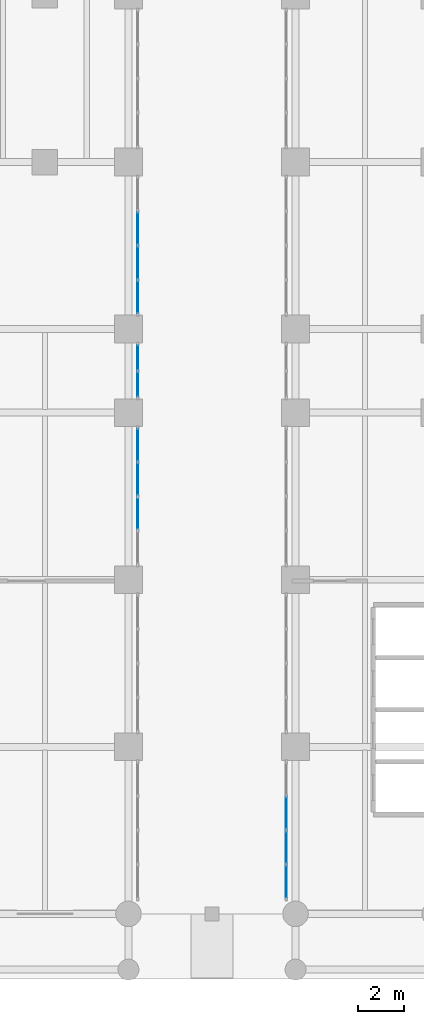
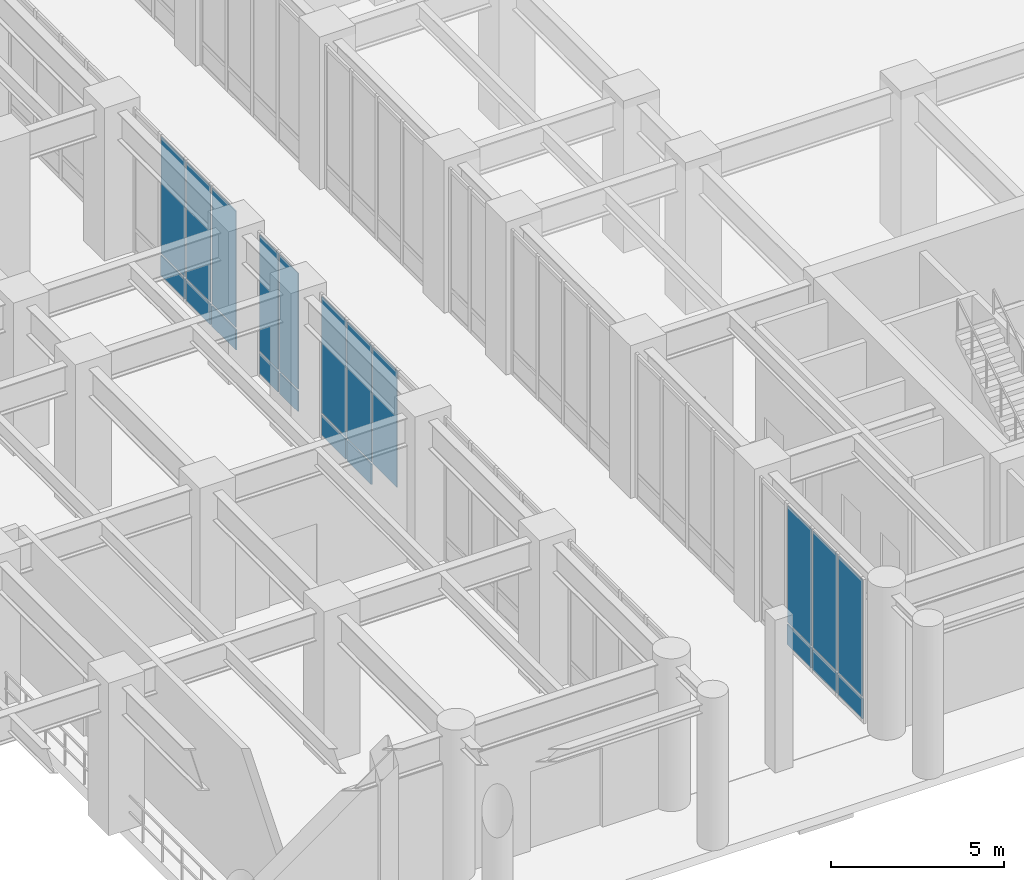
# One storey, part 10 of 23: 21 plates, 4 elements without a shape of their own.
"""IFC4 building model written with IfcOpenShell, lengths in metres."""

from ifc_helpers import new_model, si_unit, derived_unit, direction, frame, origin, origin_2d, place, context, subcontext, project, spatial, rectangle, extrude, source, transform, mapped, material, layer, layer_set, type_object, element, aggregate, save


model = new_model("IFC4")

# Units and contexts
model_context = context("Model", 3, precision=1e-05, world=origin(), true_north=direction((0.0, 1.0)))
body_context = subcontext(model_context, "Body", "Model", "MODEL_VIEW")
ifc_project = project(units=[si_unit("LENGTHUNIT", "METRE"), si_unit("AREAUNIT", "SQUARE_METRE"), si_unit("VOLUMEUNIT", "CUBIC_METRE"), si_unit("PLANEANGLEUNIT", "RADIAN"), si_unit("MASSUNIT", "GRAM", prefix="KILO"), si_unit("THERMODYNAMICTEMPERATUREUNIT", "KELVIN"), si_unit("POWERUNIT", "WATT"), derived_unit("THERMALTRANSMITTANCEUNIT", [(si_unit("POWERUNIT", "WATT"), 1), (si_unit("AREAUNIT", "SQUARE_METRE"), -1), (si_unit("THERMODYNAMICTEMPERATUREUNIT", "KELVIN"), -1)])], contexts=[model_context])

# Site, building, storey
site_placement = place(None, origin())
site = spatial("IfcSite", under=ifc_project, at=site_placement, CompositionType="ELEMENT")
building_placement = place(site_placement, origin())
building = spatial("IfcBuilding", under=site, at=building_placement, Name="Zahravan Archway Hotel and Residences", CompositionType="ELEMENT")
storey_placement = place(building_placement, origin())
storey = spatial("IfcBuildingStorey", under=building, at=storey_placement, Name="L00", CompositionType="ELEMENT", Elevation=0.0)

# Curtain wall, plates
ifc_material_1 = material(Name="Bronze-Anodized Unitised Aluminium & Low-E Glass", Category="aluminium")
ifc_layer_1 = layer(ifc_material_1, 0.179931640625, Name="Bronze-Anodized Unitised Aluminium & Low-E Glass", Category="aluminium")
ifc_layer_set_1 = layer_set([ifc_layer_1], Name="Bronze-Anodized Unitised Aluminium & Low-E Glass")
curtain_wall_type = type_object("IfcCurtainWallType", Name="CW-POD-ARCH", PredefinedType="NOTDEFINED", material=ifc_layer_set_1)
curtain_wall_1_placement = place(storey_placement, origin())
curtain_wall_1 = element("IfcCurtainWall", 1, at=curtain_wall_1_placement, inside=storey, type_object=curtain_wall_type, Name="L00 Curtain Wall CW-PORTW-L00-3", PredefinedType="NOTDEFINED")
ifc_material_2 = material(Name="Insulated Terracotta Spandrel Panel", Category="masonry")
ifc_layer_2 = layer(ifc_material_2, 0.0400390625, Name="Insulated Terracotta Spandrel Panel", Category="masonry")
ifc_layer_set_2 = layer_set([ifc_layer_2], Name="Insulated Terracotta Spandrel Panel")
plate_type_1 = type_object("IfcPlateType", Name="CWP-SPN-40", PredefinedType="SHEET", material=ifc_layer_set_2)
shared_shape_1 = source(origin(), body_context, "Body", "SweptSolid", [
    extrude(rectangle(XDim=1.3974609375, YDim=0.0400390625, at=origin_2d()), origin(), (0.0, 0.0, 1.0), 0.7099609375),
])
plate_1_placement = place(storey_placement, frame((22.0, 18.73876953125, 0.10009765625), z_axis=(0.0, 0.0, 1.0), x_axis=(0.0, 1.0, 0.0)))
plate_1 = element("IfcPlate", 2, at=plate_1_placement, type_object=plate_type_1, Name="CW-PORTW-L00-3 Spandrel Panel 2", PredefinedType="SHEET", context=body_context, shape_type="MappedRepresentation", body=[
    mapped(shared_shape_1, transform((0.0, 0.0, 0.0), scale=1.0)),
])
plate_2_placement = place(storey_placement, frame((22.0, 20.216064453125, 0.10009765625), z_axis=(0.0, 0.0, 1.0), x_axis=(0.0, 1.0, 0.0)))
plate_2 = element("IfcPlate", 3, at=plate_2_placement, type_object=plate_type_1, Name="CW-PORTW-L00-3 Spandrel Panel 3", PredefinedType="SHEET", context=body_context, shape_type="MappedRepresentation", body=[
    mapped(shared_shape_1, transform((0.0, 0.0, 0.0), scale=1.0)),
])

curtain_wall_2_placement = place(storey_placement, origin())
curtain_wall_2 = element("IfcCurtainWall", 4, at=curtain_wall_2_placement, inside=storey, type_object=curtain_wall_type, Name="L00 Curtain Wall CW-PORTW-L00-5", PredefinedType="NOTDEFINED")
plate_3_placement = place(storey_placement, frame((22.0, 26.583984375, 0.10009765625), z_axis=(0.0, 0.0, 1.0), x_axis=(0.0, 1.0, 0.0)))
plate_3 = element("IfcPlate", 5, at=plate_3_placement, type_object=plate_type_1, Name="CW-PORTW-L00-5 Spandrel Panel 0", PredefinedType="SHEET", context=body_context, shape_type="MappedRepresentation", body=[
    mapped(shared_shape_1, transform((0.0, 0.0, 0.0), scale=1.0)),
])
plate_4_placement = place(storey_placement, frame((22.0, 28.061279296875, 0.10009765625), z_axis=(0.0, 0.0, 1.0), x_axis=(0.0, 1.0, 0.0)))
plate_4 = element("IfcPlate", 6, at=plate_4_placement, type_object=plate_type_1, Name="CW-PORTW-L00-5 Spandrel Panel 1", PredefinedType="SHEET", context=body_context, shape_type="MappedRepresentation", body=[
    mapped(shared_shape_1, transform((0.0, 0.0, 0.0), scale=1.0)),
])
plate_5_placement = place(storey_placement, frame((22.0, 29.538818359375, 0.10009765625), z_axis=(0.0, 0.0, 1.0), x_axis=(0.0, 1.0, 0.0)))
plate_5 = element("IfcPlate", 7, at=plate_5_placement, type_object=plate_type_1, Name="CW-PORTW-L00-5 Spandrel Panel 2", PredefinedType="SHEET", context=body_context, shape_type="MappedRepresentation", body=[
    mapped(shared_shape_1, transform((0.0, 0.0, 0.0), scale=1.0)),
])

curtain_wall_3_placement = place(storey_placement, origin())
curtain_wall_3 = element("IfcCurtainWall", 8, at=curtain_wall_3_placement, inside=storey, type_object=curtain_wall_type, Name="L00 Curtain Wall CW-PORTE-L00-1", PredefinedType="NOTDEFINED")
plate_6_placement = place(storey_placement, frame((28.39990234375, 1.3837890625, 0.10009765625), z_axis=(0.0, 0.0, 1.0), x_axis=(0.0, 1.0, 0.0)))
plate_6 = element("IfcPlate", 9, at=plate_6_placement, type_object=plate_type_1, Name="CW-PORTE-L00-1 Spandrel Panel 0", PredefinedType="SHEET", context=body_context, shape_type="MappedRepresentation", body=[
    mapped(shared_shape_1, transform((0.0, 0.0, 0.0), scale=1.0)),
])
plate_7_placement = place(storey_placement, frame((28.39990234375, 2.861328125, 0.10009765625), z_axis=(0.0, 0.0, 1.0), x_axis=(0.0, 1.0, 0.0)))
plate_7 = element("IfcPlate", 10, at=plate_7_placement, type_object=plate_type_1, Name="CW-PORTE-L00-1 Spandrel Panel 1", PredefinedType="SHEET", context=body_context, shape_type="MappedRepresentation", body=[
    mapped(shared_shape_1, transform((0.0, 0.0, 0.0), scale=1.0)),
])
plate_8_placement = place(storey_placement, frame((28.39990234375, 4.338623046875, 0.10009765625), z_axis=(0.0, 0.0, 1.0), x_axis=(0.0, 1.0, 0.0)))
plate_8 = element("IfcPlate", 11, at=plate_8_placement, type_object=plate_type_1, Name="CW-PORTE-L00-1 Spandrel Panel 2", PredefinedType="SHEET", context=body_context, shape_type="MappedRepresentation", body=[
    mapped(shared_shape_1, transform((0.0, 0.0, 0.0), scale=1.0)),
])

# Plate
ifc_material_3 = material(Name="Double-Silver Low-E Insulated Vision Glass", Category="glass")
ifc_layer_3 = layer(ifc_material_3, 0.028076171875, Name="Double-Silver Low-E Insulated Vision Glass", Category="glass")
ifc_layer_set_3 = layer_set([ifc_layer_3], Name="Double-Silver Low-E Insulated Vision Glass")
plate_type_2 = type_object("IfcPlateType", Name="CWP-GLZ-28", PredefinedType="CURTAIN_PANEL", material=ifc_layer_set_3)
shared_shape_2 = source(origin(), body_context, "Body", "SweptSolid", [
    extrude(rectangle(XDim=1.3974609375, YDim=0.028076171875, at=origin_2d()), origin(), (0.0, 0.0, 1.0), 4.110107421875),
])
plate_9_placement = place(storey_placement, frame((22.0, 17.26123046875, 0.89013671875), z_axis=(0.0, 0.0, 1.0), x_axis=(0.0, 1.0, 0.0)))
plate_9 = element("IfcPlate", 12, at=plate_9_placement, type_object=plate_type_2, Name="CW-PORTW-L00-3 Low-E Vision Panel 1", PredefinedType="CURTAIN_PANEL", context=body_context, shape_type="MappedRepresentation", body=[
    mapped(shared_shape_2, transform((0.0, 0.0, 0.0), scale=1.0)),
])

plate_10_placement = place(storey_placement, frame((22.0, 18.73876953125, 0.89013671875), z_axis=(0.0, 0.0, 1.0), x_axis=(0.0, 1.0, 0.0)))
plate_10 = element("IfcPlate", 13, at=plate_10_placement, type_object=plate_type_2, Name="CW-PORTW-L00-3 Low-E Vision Panel 2", PredefinedType="CURTAIN_PANEL", context=body_context, shape_type="MappedRepresentation", body=[
    mapped(shared_shape_2, transform((0.0, 0.0, 0.0), scale=1.0)),
])

plate_11_placement = place(storey_placement, frame((22.0, 20.216064453125, 0.89013671875), z_axis=(0.0, 0.0, 1.0), x_axis=(0.0, 1.0, 0.0)))
plate_11 = element("IfcPlate", 14, at=plate_11_placement, type_object=plate_type_2, Name="CW-PORTW-L00-3 Low-E Vision Panel 3", PredefinedType="CURTAIN_PANEL", context=body_context, shape_type="MappedRepresentation", body=[
    mapped(shared_shape_2, transform((0.0, 0.0, 0.0), scale=1.0)),
])

aggregate(curtain_wall_1, [plate_9, plate_1, plate_10, plate_2, plate_11])

plate_12_placement = place(storey_placement, frame((22.0, 26.583984375, 0.89013671875), z_axis=(0.0, 0.0, 1.0), x_axis=(0.0, 1.0, 0.0)))
plate_12 = element("IfcPlate", 15, at=plate_12_placement, type_object=plate_type_2, Name="CW-PORTW-L00-5 Low-E Vision Panel 0", PredefinedType="CURTAIN_PANEL", context=body_context, shape_type="MappedRepresentation", body=[
    mapped(shared_shape_2, transform((0.0, 0.0, 0.0), scale=1.0)),
])

plate_13_placement = place(storey_placement, frame((22.0, 28.061279296875, 0.89013671875), z_axis=(0.0, 0.0, 1.0), x_axis=(0.0, 1.0, 0.0)))
plate_13 = element("IfcPlate", 16, at=plate_13_placement, type_object=plate_type_2, Name="CW-PORTW-L00-5 Low-E Vision Panel 1", PredefinedType="CURTAIN_PANEL", context=body_context, shape_type="MappedRepresentation", body=[
    mapped(shared_shape_2, transform((0.0, 0.0, 0.0), scale=1.0)),
])

plate_14_placement = place(storey_placement, frame((22.0, 29.538818359375, 0.89013671875), z_axis=(0.0, 0.0, 1.0), x_axis=(0.0, 1.0, 0.0)))
plate_14 = element("IfcPlate", 17, at=plate_14_placement, type_object=plate_type_2, Name="CW-PORTW-L00-5 Low-E Vision Panel 2", PredefinedType="CURTAIN_PANEL", context=body_context, shape_type="MappedRepresentation", body=[
    mapped(shared_shape_2, transform((0.0, 0.0, 0.0), scale=1.0)),
])

aggregate(curtain_wall_2, [plate_3, plate_12, plate_4, plate_13, plate_5, plate_14])

plate_15_placement = place(storey_placement, frame((28.39990234375, 1.3837890625, 0.89013671875), z_axis=(0.0, 0.0, 1.0), x_axis=(0.0, 1.0, 0.0)))
plate_15 = element("IfcPlate", 18, at=plate_15_placement, type_object=plate_type_2, Name="CW-PORTE-L00-1 Low-E Vision Panel 0", PredefinedType="CURTAIN_PANEL", context=body_context, shape_type="MappedRepresentation", body=[
    mapped(shared_shape_2, transform((0.0, 0.0, 0.0), scale=1.0)),
])

plate_16_placement = place(storey_placement, frame((28.39990234375, 2.861328125, 0.89013671875), z_axis=(0.0, 0.0, 1.0), x_axis=(0.0, 1.0, 0.0)))
plate_16 = element("IfcPlate", 19, at=plate_16_placement, type_object=plate_type_2, Name="CW-PORTE-L00-1 Low-E Vision Panel 1", PredefinedType="CURTAIN_PANEL", context=body_context, shape_type="MappedRepresentation", body=[
    mapped(shared_shape_2, transform((0.0, 0.0, 0.0), scale=1.0)),
])

plate_17_placement = place(storey_placement, frame((28.39990234375, 4.338623046875, 0.89013671875), z_axis=(0.0, 0.0, 1.0), x_axis=(0.0, 1.0, 0.0)))
plate_17 = element("IfcPlate", 20, at=plate_17_placement, type_object=plate_type_2, Name="CW-PORTE-L00-1 Low-E Vision Panel 2", PredefinedType="CURTAIN_PANEL", context=body_context, shape_type="MappedRepresentation", body=[
    mapped(shared_shape_2, transform((0.0, 0.0, 0.0), scale=1.0)),
])

aggregate(curtain_wall_3, [plate_6, plate_15, plate_7, plate_16, plate_8, plate_17])

# Curtain wall, plates
curtain_wall_4_placement = place(storey_placement, origin())
curtain_wall_4 = element("IfcCurtainWall", 21, at=curtain_wall_4_placement, inside=storey, type_object=curtain_wall_type, Name="L00 Curtain Wall CW-PORTW-L00-4", PredefinedType="NOTDEFINED")
shared_shape_3 = source(origin(), body_context, "Body", "SweptSolid", [
    extrude(rectangle(XDim=1.07470703125, YDim=0.0400390625, at=origin_2d()), origin(), (0.0, 0.0, 1.0), 0.7099609375),
])
plate_18_placement = place(storey_placement, frame((22.0, 22.822509765625, 0.10009765625), z_axis=(0.0, 0.0, 1.0), x_axis=(0.0, 1.0, 0.0)))
plate_18 = element("IfcPlate", 22, at=plate_18_placement, type_object=plate_type_1, Name="CW-PORTW-L00-4 Spandrel Panel 0", PredefinedType="SHEET", context=body_context, shape_type="MappedRepresentation", body=[
    mapped(shared_shape_3, transform((0.0, 0.0, 0.0), scale=1.0)),
])
plate_19_placement = place(storey_placement, frame((22.0, 23.977294921875, 0.10009765625), z_axis=(0.0, 0.0, 1.0), x_axis=(0.0, 1.0, 0.0)))
plate_19 = element("IfcPlate", 23, at=plate_19_placement, type_object=plate_type_1, Name="CW-PORTW-L00-4 Spandrel Panel 1", PredefinedType="SHEET", context=body_context, shape_type="MappedRepresentation", body=[
    mapped(shared_shape_3, transform((0.0, 0.0, 0.0), scale=1.0)),
])
shared_shape_4 = source(origin(), body_context, "Body", "SweptSolid", [
    extrude(rectangle(XDim=1.07470703125, YDim=0.028076171875, at=origin_2d()), origin(), (0.0, 0.0, 1.0), 4.110107421875),
])
plate_20_placement = place(storey_placement, frame((22.0, 22.822509765625, 0.89013671875), z_axis=(0.0, 0.0, 1.0), x_axis=(0.0, 1.0, 0.0)))
plate_20 = element("IfcPlate", 24, at=plate_20_placement, type_object=plate_type_2, Name="CW-PORTW-L00-4 Low-E Vision Panel 0", PredefinedType="CURTAIN_PANEL", context=body_context, shape_type="MappedRepresentation", body=[
    mapped(shared_shape_4, transform((0.0, 0.0, 0.0), scale=1.0)),
])
plate_21_placement = place(storey_placement, frame((22.0, 23.977294921875, 0.89013671875), z_axis=(0.0, 0.0, 1.0), x_axis=(0.0, 1.0, 0.0)))
plate_21 = element("IfcPlate", 25, at=plate_21_placement, type_object=plate_type_2, Name="CW-PORTW-L00-4 Low-E Vision Panel 1", PredefinedType="CURTAIN_PANEL", context=body_context, shape_type="MappedRepresentation", body=[
    mapped(shared_shape_4, transform((0.0, 0.0, 0.0), scale=1.0)),
])
aggregate(curtain_wall_4, [plate_18, plate_20, plate_19, plate_21])

save(model, "model.ifc")
